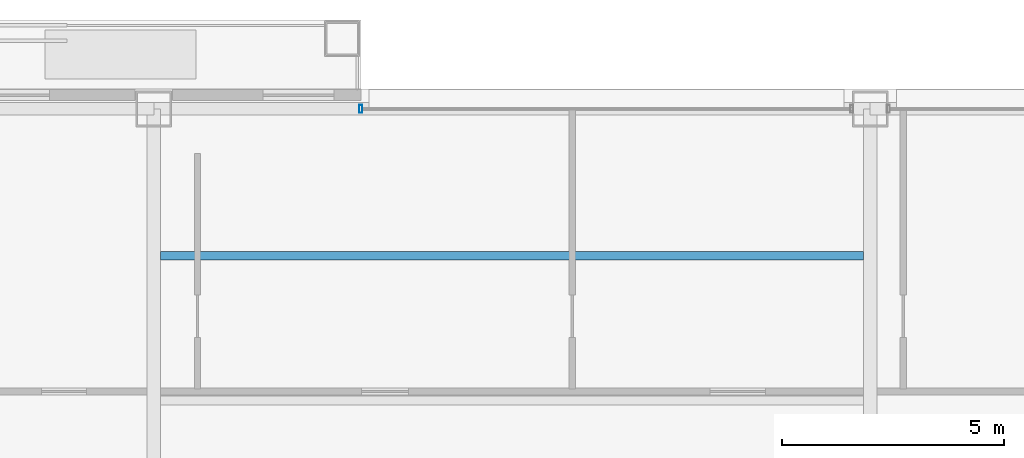
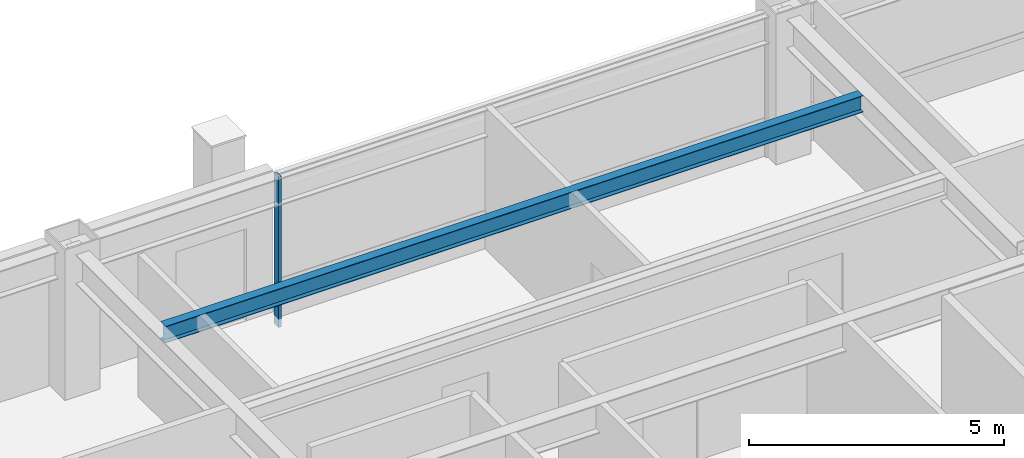
# One storey, part 19 of 29: 1 beam, 1 member, 1 element without a shape of its own.
"""IFC4 building model written with IfcOpenShell, lengths in metres."""

from ifc_helpers import new_model, si_unit, direction, frame, origin, origin_2d, place, context, subcontext, project, spatial, hollow_rectangle, i_section, extrude, material, layer, layer_set, material_profile, profile_set, type_object, element, aggregate, save


model = new_model("IFC4")

# Units and contexts
model_context = context("Model", 3, precision=1e-05, world=origin(), true_north=direction((0.0, 1.0)))
body_context = subcontext(model_context, "Body", "Model", "MODEL_VIEW")
ifc_project = project(units=[si_unit("LENGTHUNIT", "METRE"), si_unit("AREAUNIT", "SQUARE_METRE"), si_unit("VOLUMEUNIT", "CUBIC_METRE"), si_unit("PLANEANGLEUNIT", "RADIAN"), si_unit("MASSUNIT", "GRAM", prefix="KILO")], contexts=[model_context])

# Site, building, storey
site_placement = place(None, origin())
site = spatial("IfcSite", under=ifc_project, at=site_placement, CompositionType="ELEMENT")
building_placement = place(site_placement, origin())
building = spatial("IfcBuilding", under=site, at=building_placement, Name="Brelmoor Portico Tower", CompositionType="ELEMENT")
storey_placement = place(building_placement, frame((0.0, 0.0, 135.0)))
storey = spatial("IfcBuildingStorey", under=building, at=storey_placement, Name="L35", CompositionType="ELEMENT", Elevation=135.0)

# Beam
ifc_material_1 = material(Name="Steel Q355B", Category="steel")
ifc_material_profile_1 = material_profile(ifc_material_1, i_section(OverallWidth=0.199951171875, OverallDepth=0.39990234375, WebThickness=0.008056640625, FlangeThickness=0.012939453125, at=origin_2d()), Name="HN 400x200x8x13")
ifc_profile_set_1 = profile_set([ifc_material_profile_1], Name="Steel Q355B")
beam_type = type_object("IfcBeamType", Name="BM-JS-400", PredefinedType="JOIST", material=ifc_profile_set_1)
beam_placement = place(storey_placement, frame((-7.89990234375, 16.25, 3.199951171875), z_axis=(1.0, 0.0, 0.0), x_axis=(0.0, 1.0, 0.0)))
element("IfcBeam", 1, at=beam_placement, inside=storey, type_object=beam_type, Name="L35 Secondary Composite Joist JS-C04", PredefinedType="JOIST", context=body_context, shape_type="SweptSolid", body=[
    extrude(i_section(OverallWidth=0.199951171875, OverallDepth=0.39990234375, WebThickness=0.008056640625, FlangeThickness=0.012939453125, at=origin_2d()), origin(), (0.0, 0.0, 1.0), 15.7998046875),
])

# Curtain wall, member
ifc_material_2 = material(Name="Anodised Aluminium Alloy 6063-T6", Category="aluminium")
ifc_layer = layer(ifc_material_2, 0.179931640625)
ifc_layer_set = layer_set([ifc_layer], Name="Anodised Aluminium Alloy 6063-T6")
curtain_wall_type = type_object("IfcCurtainWallType", Name="CW-TOWER-Z2", PredefinedType="NOTDEFINED", material=ifc_layer_set)
curtain_wall_placement = place(storey_placement, origin())
curtain_wall = element("IfcCurtainWall", 2, at=curtain_wall_placement, inside=storey, type_object=curtain_wall_type, Name="L35 Curtain Wall CW-L35-2R-1", PredefinedType="NOTDEFINED")
ifc_material_profile_2 = material_profile(ifc_material_2, hollow_rectangle(XDim=0.06494140625, YDim=0.179931640625, WallThickness=0.00390625, at=origin_2d()), Name="ALU MULLION 65x180")
ifc_profile_set_2 = profile_set([ifc_material_profile_2], Name="Anodised Aluminium Alloy 6063-T6")
member_type = type_object("IfcMemberType", Name="MB-CW-MULL-180", PredefinedType="MULLION", material=ifc_profile_set_2)
member_placement = place(storey_placement, frame((-3.39990234375, 19.550048828125, -0.199951171875), z_axis=(0.0, 0.0, 1.0), x_axis=(1.0, 0.0, 0.0)))
member = element("IfcMember", 3, at=member_placement, type_object=member_type, Name="CW-L35-2R-1 Mullion 00", PredefinedType="MULLION", context=body_context, shape_type="SweptSolid", body=[
    extrude(hollow_rectangle(XDim=0.06494140625, YDim=0.179931640625, WallThickness=0.00390625, at=origin_2d()), origin(), (0.0, 0.0, 1.0), 3.599853515625),
])
aggregate(curtain_wall, [member])

save(model, "model.ifc")
